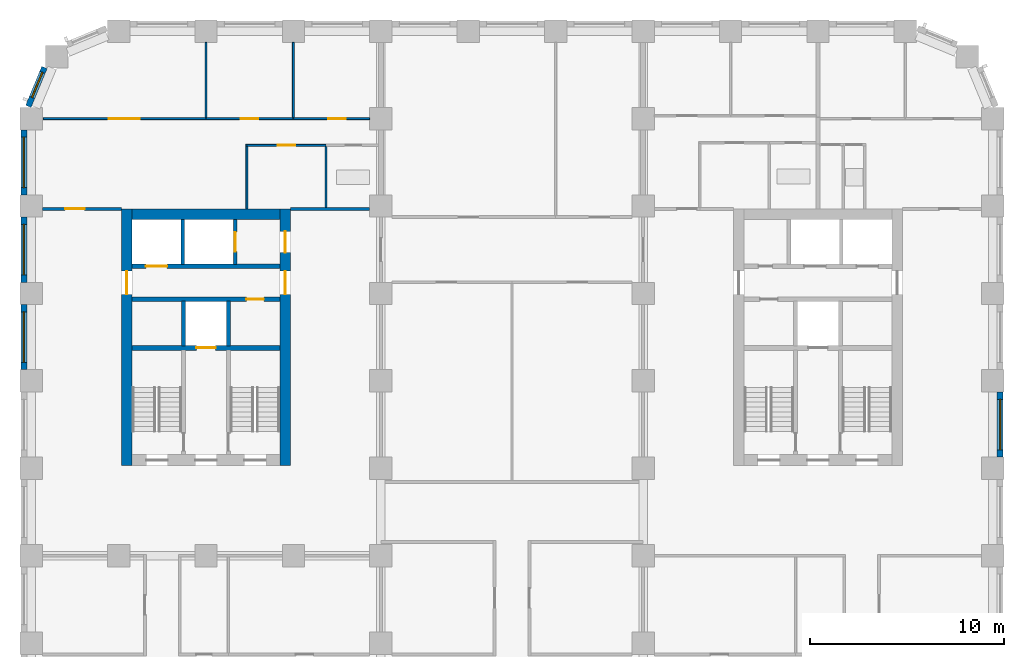
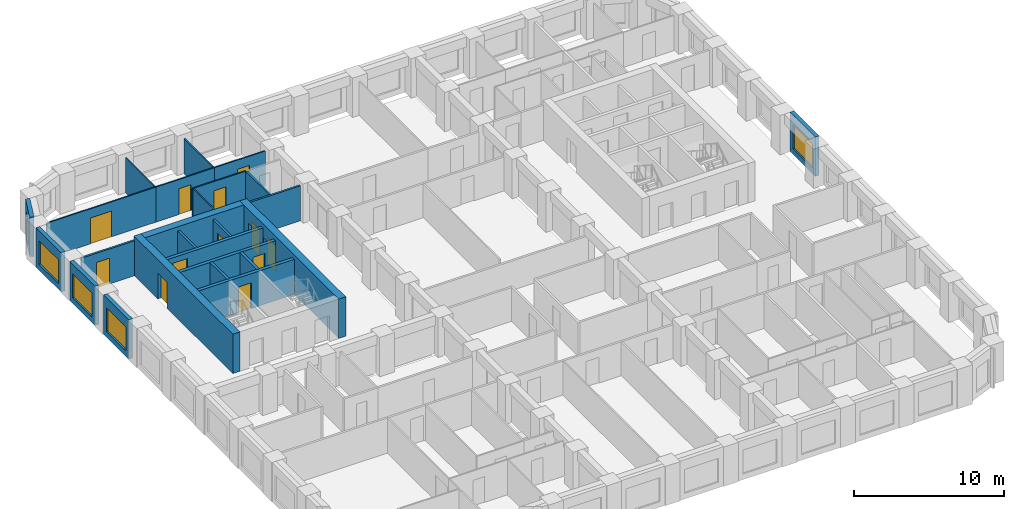
# One storey, part 6 of 12: 25 walls, 12 doors, 5 windows, 17 openings.
"""IFC4 building model written with IfcOpenShell, lengths in metres."""

from ifc_helpers import new_model, si_unit, direction, frame, frame_2d, origin, place, context, subcontext, project, spatial, rectangle, extrude, material, layer, layer_set, type_object, element, fill, save


model = new_model("IFC4")

# Units and contexts
model_context = context("Model", 3, precision=1e-05, world=origin(), true_north=direction((0.0, 1.0)))
body_context = subcontext(model_context, "Body", "Model", "MODEL_VIEW")
ifc_project = project(units=[si_unit("LENGTHUNIT", "METRE"), si_unit("AREAUNIT", "SQUARE_METRE"), si_unit("VOLUMEUNIT", "CUBIC_METRE"), si_unit("PLANEANGLEUNIT", "RADIAN"), si_unit("MASSUNIT", "GRAM", prefix="KILO")], contexts=[model_context])

# Site, building, storey
site_placement = place(None, origin())
site = spatial("IfcSite", under=ifc_project, at=site_placement, CompositionType="ELEMENT")
building_placement = place(site_placement, origin())
building = spatial("IfcBuilding", under=site, at=building_placement, Name="Girih Gate Residences", CompositionType="ELEMENT")
storey_placement = place(building_placement, frame((0.0, 0.0, 121.60009765625)))
storey = spatial("IfcBuildingStorey", under=building, at=storey_placement, Name="L34", CompositionType="ELEMENT", Elevation=121.60009765625)

# Wall, opening, door
ifc_material_1 = material(Name="Gypsum board on steel studs", Category="steel")
ifc_layer_1 = layer(ifc_material_1, 0.14990234375)
ifc_layer_set_1 = layer_set([ifc_layer_1], Name="Compartment wall 150 mm")
wall_type_1 = type_object("IfcWallType", Name="Compartment wall 150 mm", PredefinedType="PARTITIONING", material=ifc_layer_set_1)
wall_1_placement = place(storey_placement, frame((0.574951171875, 40.35009765625, 0.0), z_axis=(0.0, 0.0, 1.0), x_axis=(1.0, 0.0, 0.0)))
wall_1 = element("IfcWall", 1, at=wall_1_placement, inside=storey, type_object=wall_type_1, Name="L34 partition", PredefinedType="PARTITIONING", context=body_context, shape_type="SweptSolid", body=[
    extrude(rectangle(XDim=4.074951171875, YDim=0.14990234375, at=frame_2d((2.03759765625, 0.0))), origin(), (0.0, 0.0, 1.0), 2.849853515625),
])
opening_1_placement = place(wall_1_placement, frame((1.175048828125, 0.0, 0.0)))
opening_1 = element("IfcOpeningElement", 2, at=opening_1_placement, cuts=wall_1, Name="Opening A34-013", PredefinedType="OPENING", context=body_context, shape_type="SweptSolid", body=[
    extrude(rectangle(XDim=1.0, YDim=2.10009765625, at=frame_2d((0.5, 1.050048828125))), frame((0.0, 0.0849609375, 0.0), z_axis=(0.0, -1.0, 0.0), x_axis=(1.0, 0.0, 0.0)), (0.0, 0.0, 1.0), 0.169921875),
])
ifc_material_2 = material(Name="Timber, fire-rated core", Category="wood")
door_type_1 = type_object("IfcDoorType", Name="Flat entrance door 1000x2100 FD30S", OperationType="NOTDEFINED", PredefinedType="DOOR", material=ifc_material_2)
door_1_placement = place(opening_1_placement, origin())
door_1 = element("IfcDoor", 3, at=door_1_placement, inside=storey, type_object=door_type_1, Name="Door A34-013", OperationType="SINGLE_SWING_LEFT", OverallHeight=2.10009765625, OverallWidth=1.0, PredefinedType="DOOR", context=body_context, shape_type="SweptSolid", body=[
    extrude(rectangle(XDim=1.0, YDim=2.10009765625, at=frame_2d((0.5, 1.050048828125))), frame((0.0, 0.02490234375, 0.0), z_axis=(0.0, -1.0, 0.0), x_axis=(1.0, 0.0, 0.0)), (0.0, 0.0, 1.0), 0.050048828125),
])
fill(opening_1, door_1)

# Walls
wall_2_placement = place(storey_placement, frame((13.35009765625, 40.35009765625, 0.0), z_axis=(0.0, 0.0, 1.0), x_axis=(1.0, 0.0, 0.0)))
element("IfcWall", 4, at=wall_2_placement, inside=storey, type_object=wall_type_1, Name="L34 partition", PredefinedType="PARTITIONING", context=body_context, shape_type="SweptSolid", body=[
    extrude(rectangle(XDim=4.074951171875, YDim=0.14990234375, at=frame_2d((2.03759765625, 0.0))), origin(), (0.0, 0.0, 1.0), 2.849853515625),
])
ifc_material_3 = material(Name="Concrete C60/75", Category="concrete")
ifc_layer_2 = layer(ifc_material_3, 0.550048828125)
ifc_layer_set_2 = layer_set([ifc_layer_2], Name="Core wall RC 550 Concrete C60/75")
wall_type_2 = type_object("IfcWallType", Name="Core wall RC 550 Concrete C60/75", PredefinedType="SOLIDWALL", material=ifc_layer_set_2)
wall_3_placement = place(storey_placement, frame((5.199951171875, 40.074951171875, 0.0), z_axis=(0.0, 0.0, 1.0), x_axis=(1.0, 0.0, 0.0)))
element("IfcWall", 5, at=wall_3_placement, inside=storey, type_object=wall_type_2, Name="Core wall W-N L34", PredefinedType="SOLIDWALL", context=body_context, shape_type="SweptSolid", body=[
    extrude(rectangle(XDim=7.60009765625, YDim=0.550048828125, at=frame_2d((3.800048828125, 0.0))), origin(), (0.0, 0.0, 1.0), 3.199951171875),
])

# Wall, opening, door
wall_4_placement = place(storey_placement, frame((4.925048828125, 27.14990234375, 0.0), z_axis=(0.0, 0.0, 1.0), x_axis=(0.0, 1.0, 0.0)))
wall_4 = element("IfcWall", 6, at=wall_4_placement, inside=storey, type_object=wall_type_2, Name="Core wall W-W L34", PredefinedType="SOLIDWALL", context=body_context, shape_type="SweptSolid", body=[
    extrude(rectangle(XDim=13.2001953125, YDim=0.550048828125, at=frame_2d((6.60009765625, 0.0))), origin(), (0.0, 0.0, 1.0), 3.199951171875),
])
opening_2_placement = place(wall_4_placement, frame((8.800048828125, 0.0, 0.0)))
opening_2 = element("IfcOpeningElement", 7, at=opening_2_placement, cuts=wall_4, Name="Opening D-L34-W-011", PredefinedType="OPENING", context=body_context, shape_type="SweptSolid", body=[
    extrude(rectangle(XDim=1.199951171875, YDim=2.10009765625, at=frame_2d((0.60009765625, 1.050048828125))), frame((0.0, 0.284912109375, 0.0), z_axis=(0.0, -1.0, 0.0), x_axis=(1.0, 0.0, 0.0)), (0.0, 0.0, 1.0), 0.570068359375),
])
ifc_material_4 = material(Name="Painted steel, fire-resisting", Category="steel")
door_type_2 = type_object("IfcDoorType", Name="Fire door 1200x2100", OperationType="SINGLE_SWING_LEFT", PredefinedType="DOOR", material=ifc_material_4)
door_2_placement = place(opening_2_placement, origin())
door_2 = element("IfcDoor", 8, at=door_2_placement, inside=storey, type_object=door_type_2, Name="L34 W core door ll-w", OperationType="SINGLE_SWING_LEFT", OverallHeight=2.10009765625, OverallWidth=1.199951171875, PredefinedType="DOOR", context=body_context, shape_type="SweptSolid", body=[
    extrude(rectangle(XDim=1.199951171875, YDim=2.10009765625, at=frame_2d((0.60009765625, 1.050048828125))), frame((0.0, 0.02490234375, 0.0), z_axis=(0.0, -1.0, 0.0), x_axis=(1.0, 0.0, 0.0)), (0.0, 0.0, 1.0), 0.050048828125),
])
fill(opening_2, door_2)

# Wall, openings, doors
wall_5_placement = place(storey_placement, frame((13.074951171875, 27.14990234375, 0.0), z_axis=(0.0, 0.0, 1.0), x_axis=(0.0, 1.0, 0.0)))
wall_5 = element("IfcWall", 9, at=wall_5_placement, inside=storey, type_object=wall_type_2, Name="Core wall W-E L34", PredefinedType="SOLIDWALL", context=body_context, shape_type="SweptSolid", body=[
    extrude(rectangle(XDim=13.2001953125, YDim=0.550048828125, at=frame_2d((6.60009765625, 0.0))), origin(), (0.0, 0.0, 1.0), 3.199951171875),
])
opening_3_placement = place(wall_5_placement, frame((10.949951171875, 0.0, 0.0)))
opening_3 = element("IfcOpeningElement", 10, at=opening_3_placement, cuts=wall_5, Name="Opening D-L34-W-010", PredefinedType="OPENING", context=body_context, shape_type="SweptSolid", body=[
    extrude(rectangle(XDim=1.10009765625, YDim=2.10009765625, at=frame_2d((0.550048828125, 1.050048828125))), frame((0.0, 0.284912109375, 0.0), z_axis=(0.0, -1.0, 0.0), x_axis=(1.0, 0.0, 0.0)), (0.0, 0.0, 1.0), 0.570068359375),
])
opening_4_placement = place(wall_5_placement, frame((8.800048828125, 0.0, 0.0)))
opening_4 = element("IfcOpeningElement", 11, at=opening_4_placement, cuts=wall_5, Name="Opening D-L34-W-012", PredefinedType="OPENING", context=body_context, shape_type="SweptSolid", body=[
    extrude(rectangle(XDim=1.199951171875, YDim=2.10009765625, at=frame_2d((0.60009765625, 1.050048828125))), frame((0.0, 0.284912109375, 0.0), z_axis=(0.0, -1.0, 0.0), x_axis=(1.0, 0.0, 0.0)), (0.0, 0.0, 1.0), 0.570068359375),
])
door_type_3 = type_object("IfcDoorType", Name="Fire door 1100x2100", OperationType="SINGLE_SWING_LEFT", PredefinedType="DOOR", material=ifc_material_4)
door_3_placement = place(opening_3_placement, origin())
door_3 = element("IfcDoor", 12, at=door_3_placement, inside=storey, type_object=door_type_3, Name="L34 W core door ffl2-e", OperationType="SINGLE_SWING_LEFT", OverallHeight=2.10009765625, OverallWidth=1.10009765625, PredefinedType="DOOR", context=body_context, shape_type="SweptSolid", body=[
    extrude(rectangle(XDim=1.10009765625, YDim=2.10009765625, at=frame_2d((0.550048828125, 1.050048828125))), frame((0.0, 0.02490234375, 0.0), z_axis=(0.0, -1.0, 0.0), x_axis=(1.0, 0.0, 0.0)), (0.0, 0.0, 1.0), 0.050048828125),
])
fill(opening_3, door_3)
door_4_placement = place(opening_4_placement, origin())
door_4 = element("IfcDoor", 13, at=door_4_placement, inside=storey, type_object=door_type_2, Name="L34 W core door ll-e", OperationType="SINGLE_SWING_LEFT", OverallHeight=2.10009765625, OverallWidth=1.199951171875, PredefinedType="DOOR", context=body_context, shape_type="SweptSolid", body=[
    extrude(rectangle(XDim=1.199951171875, YDim=2.10009765625, at=frame_2d((0.60009765625, 1.050048828125))), frame((0.0, 0.02490234375, 0.0), z_axis=(0.0, -1.0, 0.0), x_axis=(1.0, 0.0, 0.0)), (0.0, 0.0, 1.0), 0.050048828125),
])
fill(opening_4, door_4)

# Wall, opening, door
ifc_material_5 = material(Name="Concrete C40/50", Category="concrete")
ifc_layer_3 = layer(ifc_material_5, 0.25)
ifc_layer_set_3 = layer_set([ifc_layer_3], Name="Lift shaft wall 250")
wall_type_3 = type_object("IfcWallType", Name="Lift shaft wall 250", PredefinedType="SOLIDWALL", material=ifc_layer_set_3)
wall_6_placement = place(storey_placement, frame((5.199951171875, 33.199951171875, 0.0), z_axis=(0.0, 0.0, 1.0), x_axis=(1.0, 0.0, 0.0)))
wall_6 = element("IfcWall", 14, at=wall_6_placement, inside=storey, type_object=wall_type_3, Name="L34 W core wall H1", PredefinedType="SOLIDWALL", context=body_context, shape_type="SweptSolid", body=[
    extrude(rectangle(XDim=7.60009765625, YDim=0.25, at=frame_2d((3.800048828125, 0.0))), origin(), (0.0, 0.0, 1.0), 2.849853515625),
])
opening_5_placement = place(wall_6_placement, frame((3.300048828125, 0.0, 0.0)))
opening_5 = element("IfcOpeningElement", 15, at=opening_5_placement, cuts=wall_6, Name="Opening D-L34-W-005", PredefinedType="OPENING", context=body_context, shape_type="SweptSolid", body=[
    extrude(rectangle(XDim=1.0, YDim=2.10009765625, at=frame_2d((0.5, 1.050048828125))), frame((0.0, 0.135009765625, 0.0), z_axis=(0.0, -1.0, 0.0), x_axis=(1.0, 0.0, 0.0)), (0.0, 0.0, 1.0), 0.27001953125),
])
ifc_material_6 = material(Name="Stainless steel, fire-resisting", Category="steel")
door_type_4 = type_object("IfcDoorType", Name="Firefighting lift landing door 1000x2100", OperationType="SLIDING_TO_LEFT", PredefinedType="DOOR", material=ifc_material_6)
door_5_placement = place(opening_5_placement, origin())
door_5 = element("IfcDoor", 16, at=door_5_placement, inside=storey, type_object=door_type_4, Name="L34 lift FF-W landing door", OperationType="SLIDING_TO_LEFT", OverallHeight=2.10009765625, OverallWidth=1.0, PredefinedType="DOOR", context=body_context, shape_type="SweptSolid", body=[
    extrude(rectangle(XDim=1.0, YDim=2.10009765625, at=frame_2d((0.5, 1.050048828125))), frame((0.0, 0.02490234375, 0.0), z_axis=(0.0, -1.0, 0.0), x_axis=(1.0, 0.0, 0.0)), (0.0, 0.0, 1.0), 0.050048828125),
])
fill(opening_5, door_5)

wall_7_placement = place(storey_placement, frame((5.199951171875, 35.699951171875, 0.0), z_axis=(0.0, 0.0, 1.0), x_axis=(1.0, 0.0, 0.0)))
wall_7 = element("IfcWall", 17, at=wall_7_placement, inside=storey, type_object=wall_type_3, Name="L34 W core wall H2", PredefinedType="SOLIDWALL", context=body_context, shape_type="SweptSolid", body=[
    extrude(rectangle(XDim=7.60009765625, YDim=0.25, at=frame_2d((3.800048828125, 0.0))), origin(), (0.0, 0.0, 1.0), 2.849853515625),
])
opening_6_placement = place(wall_7_placement, frame((5.875, 0.0, 0.0)))
opening_6 = element("IfcOpeningElement", 18, at=opening_6_placement, cuts=wall_7, Name="Opening D-L34-W-006", PredefinedType="OPENING", context=body_context, shape_type="SweptSolid", body=[
    extrude(rectangle(XDim=0.89990234375, YDim=2.10009765625, at=frame_2d((0.449951171875, 1.050048828125))), frame((0.0, 0.135009765625, 0.0), z_axis=(0.0, -1.0, 0.0), x_axis=(1.0, 0.0, 0.0)), (0.0, 0.0, 1.0), 0.27001953125),
])
door_type_5 = type_object("IfcDoorType", Name="Fire door 900x2100", OperationType="SINGLE_SWING_LEFT", PredefinedType="DOOR", material=ifc_material_4)
door_6_placement = place(opening_6_placement, origin())
door_6 = element("IfcDoor", 19, at=door_6_placement, inside=storey, type_object=door_type_5, Name="L34 W linen store door", OperationType="SINGLE_SWING_LEFT", OverallHeight=2.10009765625, OverallWidth=0.89990234375, PredefinedType="DOOR", context=body_context, shape_type="SweptSolid", body=[
    extrude(rectangle(XDim=0.89990234375, YDim=2.10009765625, at=frame_2d((0.449951171875, 1.050048828125))), frame((0.0, 0.02490234375, 0.0), z_axis=(0.0, -1.0, 0.0), x_axis=(1.0, 0.0, 0.0)), (0.0, 0.0, 1.0), 0.050048828125),
])
fill(opening_6, door_6)

wall_8_placement = place(storey_placement, frame((5.199951171875, 37.39990234375, 0.0), z_axis=(0.0, 0.0, 1.0), x_axis=(1.0, 0.0, 0.0)))
wall_8 = element("IfcWall", 20, at=wall_8_placement, inside=storey, type_object=wall_type_3, Name="L34 W core wall H3", PredefinedType="SOLIDWALL", context=body_context, shape_type="SweptSolid", body=[
    extrude(rectangle(XDim=7.60009765625, YDim=0.25, at=frame_2d((3.800048828125, 0.0))), origin(), (0.0, 0.0, 1.0), 2.849853515625),
])
opening_7_placement = place(wall_8_placement, frame((0.699951171875, 0.0, 0.0)))
opening_7 = element("IfcOpeningElement", 21, at=opening_7_placement, cuts=wall_8, Name="Opening D-L34-W-003", PredefinedType="OPENING", context=body_context, shape_type="SweptSolid", body=[
    extrude(rectangle(XDim=1.10009765625, YDim=2.39990234375, at=frame_2d((0.550048828125, 1.199951171875))), frame((0.0, 0.135009765625, 0.0), z_axis=(0.0, -1.0, 0.0), x_axis=(1.0, 0.0, 0.0)), (0.0, 0.0, 1.0), 0.27001953125),
])
ifc_material_7 = material(Name="Stainless steel", Category="steel")
door_type_6 = type_object("IfcDoorType", Name="Lift landing door 1100x2400", OperationType="SLIDING_TO_LEFT", PredefinedType="DOOR", material=ifc_material_7)
door_7_placement = place(opening_7_placement, origin())
door_7 = element("IfcDoor", 22, at=door_7_placement, inside=storey, type_object=door_type_6, Name="L34 lift LR-W1 landing door", OperationType="SLIDING_TO_LEFT", OverallHeight=2.39990234375, OverallWidth=1.10009765625, PredefinedType="DOOR", context=body_context, shape_type="SweptSolid", body=[
    extrude(rectangle(XDim=1.10009765625, YDim=2.39990234375, at=frame_2d((0.550048828125, 1.199951171875))), frame((0.0, 0.02490234375, 0.0), z_axis=(0.0, -1.0, 0.0), x_axis=(1.0, 0.0, 0.0)), (0.0, 0.0, 1.0), 0.050048828125),
])
fill(opening_7, door_7)

# Wall
ifc_layer_4 = layer(ifc_material_1, 0.10009765625)
ifc_layer_set_4 = layer_set([ifc_layer_4], Name="Partition 100 mm")
wall_type_4 = type_object("IfcWallType", Name="Partition 100 mm", PredefinedType="PARTITIONING", material=ifc_layer_set_4)
wall_9_placement = place(storey_placement, frame((13.5, 45.050048828125, 0.0), z_axis=(0.0, 0.0, 1.0), x_axis=(0.0, 1.0, 0.0)))
element("IfcWall", 23, at=wall_9_placement, inside=storey, type_object=wall_type_4, Name="L34 partition", PredefinedType="PARTITIONING", context=body_context, shape_type="SweptSolid", body=[
    extrude(rectangle(XDim=3.875, YDim=0.10009765625, at=frame_2d((1.9375, 0.0))), origin(), (0.0, 0.0, 1.0), 2.849853515625),
])

# Wall, opening, door
wall_10_placement = place(storey_placement, frame((9.0, 45.0, 0.0), z_axis=(0.0, 0.0, 1.0), x_axis=(1.0, 0.0, 0.0)))
wall_10 = element("IfcWall", 24, at=wall_10_placement, inside=storey, type_object=wall_type_4, Name="L34 partition", PredefinedType="PARTITIONING", context=body_context, shape_type="SweptSolid", body=[
    extrude(rectangle(XDim=4.5, YDim=0.10009765625, at=frame_2d((2.25, 0.0))), origin(), (0.0, 0.0, 1.0), 2.849853515625),
])
opening_8_placement = place(wall_10_placement, frame((1.800048828125, 0.0, 0.0)))
opening_8 = element("IfcOpeningElement", 25, at=opening_8_placement, cuts=wall_10, Name="Opening A34-009", PredefinedType="OPENING", context=body_context, shape_type="SweptSolid", body=[
    extrude(rectangle(XDim=0.89990234375, YDim=2.10009765625, at=frame_2d((0.449951171875, 1.050048828125))), frame((0.0, 0.06005859375, 0.0), z_axis=(0.0, -1.0, 0.0), x_axis=(1.0, 0.0, 0.0)), (0.0, 0.0, 1.0), 0.1201171875),
])
ifc_material_8 = material(Name="Timber", Category="wood")
door_type_7 = type_object("IfcDoorType", Name="Bedroom door 900x2100", OperationType="NOTDEFINED", PredefinedType="DOOR", material=ifc_material_8)
door_8_placement = place(opening_8_placement, origin())
door_8 = element("IfcDoor", 26, at=door_8_placement, inside=storey, type_object=door_type_7, Name="Door A34-009", OperationType="SINGLE_SWING_LEFT", OverallHeight=2.10009765625, OverallWidth=0.89990234375, PredefinedType="DOOR", context=body_context, shape_type="SweptSolid", body=[
    extrude(rectangle(XDim=0.89990234375, YDim=2.10009765625, at=frame_2d((0.449951171875, 1.050048828125))), frame((0.0, 0.02490234375, 0.0), z_axis=(0.0, -1.0, 0.0), x_axis=(1.0, 0.0, 0.0)), (0.0, 0.0, 1.0), 0.050048828125),
])
fill(opening_8, door_8)

# Wall
wall_11_placement = place(storey_placement, frame((9.0, 45.050048828125, 0.0), z_axis=(0.0, 0.0, 1.0), x_axis=(0.0, 1.0, 0.0)))
element("IfcWall", 27, at=wall_11_placement, inside=storey, type_object=wall_type_4, Name="L34 partition", PredefinedType="PARTITIONING", context=body_context, shape_type="SweptSolid", body=[
    extrude(rectangle(XDim=3.875, YDim=0.10009765625, at=frame_2d((1.9375, 0.0))), origin(), (0.0, 0.0, 1.0), 2.849853515625),
])

# Wall, opening, door
wall_12_placement = place(storey_placement, frame((13.5, 45.0, 0.0), z_axis=(0.0, 0.0, 1.0), x_axis=(1.0, 0.0, 0.0)))
wall_12 = element("IfcWall", 28, at=wall_12_placement, inside=storey, type_object=wall_type_4, Name="L34 partition", PredefinedType="PARTITIONING", context=body_context, shape_type="SweptSolid", body=[
    extrude(rectangle(XDim=3.925048828125, YDim=0.10009765625, at=frame_2d((1.96240234375, 0.0))), origin(), (0.0, 0.0, 1.0), 2.849853515625),
])
opening_9_placement = place(wall_12_placement, frame((1.800048828125, 0.0, 0.0)))
opening_9 = element("IfcOpeningElement", 29, at=opening_9_placement, cuts=wall_12, Name="Opening A34-010", PredefinedType="OPENING", context=body_context, shape_type="SweptSolid", body=[
    extrude(rectangle(XDim=0.89990234375, YDim=2.10009765625, at=frame_2d((0.449951171875, 1.050048828125))), frame((0.0, 0.06005859375, 0.0), z_axis=(0.0, -1.0, 0.0), x_axis=(1.0, 0.0, 0.0)), (0.0, 0.0, 1.0), 0.1201171875),
])
door_9_placement = place(opening_9_placement, origin())
door_9 = element("IfcDoor", 30, at=door_9_placement, inside=storey, type_object=door_type_7, Name="Door A34-010", OperationType="SINGLE_SWING_RIGHT", OverallHeight=2.10009765625, OverallWidth=0.89990234375, PredefinedType="DOOR", context=body_context, shape_type="SweptSolid", body=[
    extrude(rectangle(XDim=0.89990234375, YDim=2.10009765625, at=frame_2d((0.449951171875, 1.050048828125))), frame((0.0, 0.02490234375, 0.0), z_axis=(0.0, -1.0, 0.0), x_axis=(1.0, 0.0, 0.0)), (0.0, 0.0, 1.0), 0.050048828125),
])
fill(opening_9, door_9)

wall_13_placement = place(storey_placement, frame((15.1748046875, 43.6201171875, 0.0), z_axis=(0.0, 0.0, 1.0), x_axis=(-1.0, 0.0, 0.0)))
wall_13 = element("IfcWall", 31, at=wall_13_placement, inside=storey, type_object=wall_type_4, Name="L34 partition", PredefinedType="PARTITIONING", context=body_context, shape_type="SweptSolid", body=[
    extrude(rectangle(XDim=4.124755859375, YDim=0.10009765625, at=frame_2d((2.0625, 0.0))), origin(), (0.0, 0.0, 1.0), 2.849853515625),
])
opening_10_placement = place(wall_13_placement, frame((1.58740234375, 0.0, 0.0)))
opening_10 = element("IfcOpeningElement", 32, at=opening_10_placement, cuts=wall_13, Name="Opening A34-011", PredefinedType="OPENING", context=body_context, shape_type="SweptSolid", body=[
    extrude(rectangle(XDim=0.89990234375, YDim=2.10009765625, at=frame_2d((0.449951171875, 1.050048828125))), frame((0.0, 0.06005859375, 0.0), z_axis=(0.0, -1.0, 0.0), x_axis=(1.0, 0.0, 0.0)), (0.0, 0.0, 1.0), 0.1201171875),
])
door_type_8 = type_object("IfcDoorType", Name="Kitchen door 900x2100", OperationType="NOTDEFINED", PredefinedType="DOOR", material=ifc_material_8)
door_10_placement = place(opening_10_placement, origin())
door_10 = element("IfcDoor", 33, at=door_10_placement, inside=storey, type_object=door_type_8, Name="Door A34-011", OperationType="SINGLE_SWING_LEFT", OverallHeight=2.10009765625, OverallWidth=0.89990234375, PredefinedType="DOOR", context=body_context, shape_type="SweptSolid", body=[
    extrude(rectangle(XDim=0.89990234375, YDim=2.10009765625, at=frame_2d((0.449951171875, 1.050048828125))), frame((0.0, 0.02490234375, 0.0), z_axis=(0.0, -1.0, 0.0), x_axis=(1.0, 0.0, 0.0)), (0.0, 0.0, 1.0), 0.050048828125),
])
fill(opening_10, door_10)

# Wall
wall_14_placement = place(storey_placement, frame((11.10009765625, 40.35009765625, 0.0), z_axis=(0.0, 0.0, 1.0), x_axis=(0.0, 1.0, 0.0)))
element("IfcWall", 34, at=wall_14_placement, inside=storey, type_object=wall_type_4, Name="L34 partition", PredefinedType="PARTITIONING", context=body_context, shape_type="SweptSolid", body=[
    extrude(rectangle(XDim=3.219970703125, YDim=0.10009765625, at=frame_2d((1.60986328125, 0.0))), origin(), (0.0, 0.0, 1.0), 2.849853515625),
])

# Wall, opening, door
wall_15_placement = place(storey_placement, frame((0.622314453125, 45.0, 0.0), z_axis=(0.0, 0.0, 1.0), x_axis=(1.0, 0.0, 0.0)))
wall_15 = element("IfcWall", 35, at=wall_15_placement, inside=storey, type_object=wall_type_4, Name="L34 partition", PredefinedType="PARTITIONING", context=body_context, shape_type="SweptSolid", body=[
    extrude(rectangle(XDim=8.377685546875, YDim=0.10009765625, at=frame_2d((4.18896484375, 0.0))), origin(), (0.0, 0.0, 1.0), 2.849853515625),
])
opening_11_placement = place(wall_15_placement, frame((3.364990234375, 0.0, 0.0)))
opening_11 = element("IfcOpeningElement", 36, at=opening_11_placement, cuts=wall_15, Name="Opening A34-012", PredefinedType="OPENING", context=body_context, shape_type="SweptSolid", body=[
    extrude(rectangle(XDim=1.60009765625, YDim=2.10009765625, at=frame_2d((0.800048828125, 1.050048828125))), frame((0.0, 0.06005859375, 0.0), z_axis=(0.0, -1.0, 0.0), x_axis=(1.0, 0.0, 0.0)), (0.0, 0.0, 1.0), 0.1201171875),
])
door_type_9 = type_object("IfcDoorType", Name="Double leaf door 1600x2100", OperationType="NOTDEFINED", PredefinedType="DOOR", material=ifc_material_8)
door_11_placement = place(opening_11_placement, origin())
door_11 = element("IfcDoor", 37, at=door_11_placement, inside=storey, type_object=door_type_9, Name="Door A34-012", OperationType="SINGLE_SWING_LEFT", OverallHeight=2.10009765625, OverallWidth=1.60009765625, PredefinedType="DOOR", context=body_context, shape_type="SweptSolid", body=[
    extrude(rectangle(XDim=1.60009765625, YDim=2.10009765625, at=frame_2d((0.800048828125, 1.050048828125))), frame((0.0, 0.02490234375, 0.0), z_axis=(0.0, -1.0, 0.0), x_axis=(1.0, 0.0, 0.0)), (0.0, 0.0, 1.0), 0.050048828125),
])
fill(opening_11, door_11)

# Wall, opening, window
ifc_material_9 = material(Name="Precast concrete C50/60", Category="concrete")
ifc_layer_5 = layer(ifc_material_9, 0.080078125, Name="Outer leaf")
ifc_material_10 = material(Name="Rigid PIR insulation")
ifc_layer_6 = layer(ifc_material_10, 0.14990234375, Name="Insulation")
ifc_material_11 = material(Name="Precast concrete C40/50", Category="concrete")
ifc_layer_7 = layer(ifc_material_11, 0.070068359375, Name="Inner leaf")
ifc_layer_set_5 = layer_set([ifc_layer_5, ifc_layer_6, ifc_layer_7], Name="Precast concrete C50/60 external wall 300")
wall_type_5 = type_object("IfcWallType", Name="Precast concrete C50/60 external wall 300", PredefinedType="SOLIDWALL", material=ifc_layer_set_5)
wall_16_placement = place(storey_placement, frame((49.875, 30.925048828125, 0.0), z_axis=(0.0, 0.0, 1.0), x_axis=(0.0, -1.0, 0.0)))
wall_16 = element("IfcWall", 38, at=wall_16_placement, inside=storey, type_object=wall_type_5, Name="External wall E0495_0045.5", PredefinedType="SOLIDWALL", context=body_context, shape_type="SweptSolid", body=[
    extrude(rectangle(XDim=3.35009765625, YDim=0.300048828125, at=frame_2d((1.675048828125, 0.0))), origin(), (0.0, 0.0, 1.0), 3.199951171875),
])
opening_12_placement = place(wall_16_placement, frame((0.375, 0.0, 0.449951171875)))
opening_12 = element("IfcOpeningElement", 39, at=opening_12_placement, cuts=wall_16, Name="Opening W-1A", PredefinedType="OPENING", context=body_context, shape_type="SweptSolid", body=[
    extrude(rectangle(XDim=2.60009765625, YDim=1.949951171875, at=frame_2d((1.300048828125, 0.97509765625))), frame((0.0, 0.159912109375, 0.0), z_axis=(0.0, -1.0, 0.0), x_axis=(1.0, 0.0, 0.0)), (0.0, 0.0, 1.0), 0.320068359375),
])
ifc_material_12 = material(Name="Double glazing in aluminium frame", Category="aluminium")
window_type_1 = type_object("IfcWindowType", Name="Window W-1A 2600x1950", PartitioningType="SINGLE_PANEL", PredefinedType="WINDOW", material=ifc_material_12)
window_1_placement = place(opening_12_placement, origin())
window_1 = element("IfcWindow", 40, at=window_1_placement, inside=storey, type_object=window_type_1, Name="Window W-1A E0495_0045.5", OverallHeight=1.949951171875, OverallWidth=2.60009765625, PartitioningType="SINGLE_PANEL", PredefinedType="WINDOW", context=body_context, shape_type="SweptSolid", body=[
    extrude(rectangle(XDim=2.60009765625, YDim=1.949951171875, at=frame_2d((1.300048828125, 0.97509765625))), frame((0.0, 0.030029296875, 0.0), z_axis=(0.0, -1.0, 0.0), x_axis=(1.0, 0.0, 0.0)), (0.0, 0.0, 1.0), 0.06005859375),
])
fill(opening_12, window_1)

wall_17_placement = place(storey_placement, frame((-0.14404296875, 45.63232421875, 0.0), z_axis=(0.0, 0.0, 1.0), x_axis=(0.382723818695, 0.923862802911, 0.0)))
wall_17 = element("IfcWall", 41, at=wall_17_placement, inside=storey, type_object=wall_type_5, Name="External wall NW0013_0482.0", PredefinedType="SOLIDWALL", context=body_context, shape_type="SweptSolid", body=[
    extrude(rectangle(XDim=2.163818359375, YDim=0.300048828125, at=frame_2d((1.08203125, 0.0))), origin(), (0.0, 0.0, 1.0), 3.199951171875),
])
opening_13_placement = place(wall_17_placement, frame((0.492919921875, 0.0, 0.449951171875)))
opening_13 = element("IfcOpeningElement", 42, at=opening_13_placement, cuts=wall_17, Name="Opening W-2D", PredefinedType="OPENING", context=body_context, shape_type="SweptSolid", body=[
    extrude(rectangle(XDim=1.39990234375, YDim=1.949951171875, at=frame_2d((0.699951171875, 0.97509765625))), frame((0.0, 0.159912109375, 0.0), z_axis=(0.0, -1.0, 0.0), x_axis=(1.0, 0.0, 0.0)), (0.0, 0.0, 1.0), 0.320068359375),
])
window_type_2 = type_object("IfcWindowType", Name="Window W-2D 1400x1950", PartitioningType="SINGLE_PANEL", PredefinedType="WINDOW", material=ifc_material_12)
window_2_placement = place(opening_13_placement, origin())
window_2 = element("IfcWindow", 43, at=window_2_placement, inside=storey, type_object=window_type_2, Name="Window W-2D NW0013_0482.0", OverallHeight=1.949951171875, OverallWidth=1.39990234375, PartitioningType="SINGLE_PANEL", PredefinedType="WINDOW", context=body_context, shape_type="SweptSolid", body=[
    extrude(rectangle(XDim=1.39990234375, YDim=1.949951171875, at=frame_2d((0.699951171875, 0.97509765625))), frame((0.0, 0.030029296875, 0.0), z_axis=(0.0, -1.0, 0.0), x_axis=(1.0, 0.0, 0.0)), (0.0, 0.0, 1.0), 0.06005859375),
])
fill(opening_13, window_2)

wall_18_placement = place(storey_placement, frame((-0.375, 41.074951171875, 0.0), z_axis=(0.0, 0.0, 1.0), x_axis=(0.0, 1.0, 0.0)))
wall_18 = element("IfcWall", 44, at=wall_18_placement, inside=storey, type_object=wall_type_5, Name="External wall W0000_0450.0", PredefinedType="SOLIDWALL", context=body_context, shape_type="SweptSolid", body=[
    extrude(rectangle(XDim=3.35009765625, YDim=0.300048828125, at=frame_2d((1.675048828125, 0.0))), origin(), (0.0, 0.0, 1.0), 3.199951171875),
])
opening_14_placement = place(wall_18_placement, frame((0.375, 0.0, 0.449951171875)))
opening_14 = element("IfcOpeningElement", 45, at=opening_14_placement, cuts=wall_18, Name="Opening W-1A", PredefinedType="OPENING", context=body_context, shape_type="SweptSolid", body=[
    extrude(rectangle(XDim=2.60009765625, YDim=1.949951171875, at=frame_2d((1.300048828125, 0.97509765625))), frame((0.0, 0.159912109375, 0.0), z_axis=(0.0, -1.0, 0.0), x_axis=(1.0, 0.0, 0.0)), (0.0, 0.0, 1.0), 0.320068359375),
])
window_3_placement = place(opening_14_placement, origin())
window_3 = element("IfcWindow", 46, at=window_3_placement, inside=storey, type_object=window_type_1, Name="Window W-1A W0000_0450.0", OverallHeight=1.949951171875, OverallWidth=2.60009765625, PartitioningType="SINGLE_PANEL", PredefinedType="WINDOW", context=body_context, shape_type="SweptSolid", body=[
    extrude(rectangle(XDim=2.60009765625, YDim=1.949951171875, at=frame_2d((1.300048828125, 0.97509765625))), frame((0.0, 0.030029296875, 0.0), z_axis=(0.0, -1.0, 0.0), x_axis=(1.0, 0.0, 0.0)), (0.0, 0.0, 1.0), 0.06005859375),
])
fill(opening_14, window_3)

wall_19_placement = place(storey_placement, frame((-0.375, 36.574951171875, 0.0), z_axis=(0.0, 0.0, 1.0), x_axis=(0.0, 1.0, 0.0)))
wall_19 = element("IfcWall", 47, at=wall_19_placement, inside=storey, type_object=wall_type_5, Name="External wall W0000_0450.1", PredefinedType="SOLIDWALL", context=body_context, shape_type="SweptSolid", body=[
    extrude(rectangle(XDim=3.35009765625, YDim=0.300048828125, at=frame_2d((1.675048828125, 0.0))), origin(), (0.0, 0.0, 1.0), 3.199951171875),
])
opening_15_placement = place(wall_19_placement, frame((0.375, 0.0, 0.449951171875)))
opening_15 = element("IfcOpeningElement", 48, at=opening_15_placement, cuts=wall_19, Name="Opening W-1A", PredefinedType="OPENING", context=body_context, shape_type="SweptSolid", body=[
    extrude(rectangle(XDim=2.60009765625, YDim=1.949951171875, at=frame_2d((1.300048828125, 0.97509765625))), frame((0.0, 0.159912109375, 0.0), z_axis=(0.0, -1.0, 0.0), x_axis=(1.0, 0.0, 0.0)), (0.0, 0.0, 1.0), 0.320068359375),
])
window_4_placement = place(opening_15_placement, origin())
window_4 = element("IfcWindow", 49, at=window_4_placement, inside=storey, type_object=window_type_1, Name="Window W-1A W0000_0450.1", OverallHeight=1.949951171875, OverallWidth=2.60009765625, PartitioningType="SINGLE_PANEL", PredefinedType="WINDOW", context=body_context, shape_type="SweptSolid", body=[
    extrude(rectangle(XDim=2.60009765625, YDim=1.949951171875, at=frame_2d((1.300048828125, 0.97509765625))), frame((0.0, 0.030029296875, 0.0), z_axis=(0.0, -1.0, 0.0), x_axis=(1.0, 0.0, 0.0)), (0.0, 0.0, 1.0), 0.06005859375),
])
fill(opening_15, window_4)

wall_20_placement = place(storey_placement, frame((-0.375, 32.074951171875, 0.0), z_axis=(0.0, 0.0, 1.0), x_axis=(0.0, 1.0, 0.0)))
wall_20 = element("IfcWall", 50, at=wall_20_placement, inside=storey, type_object=wall_type_5, Name="External wall W0000_0450.2", PredefinedType="SOLIDWALL", context=body_context, shape_type="SweptSolid", body=[
    extrude(rectangle(XDim=3.35009765625, YDim=0.300048828125, at=frame_2d((1.675048828125, 0.0))), origin(), (0.0, 0.0, 1.0), 3.199951171875),
])
opening_16_placement = place(wall_20_placement, frame((0.375, 0.0, 0.449951171875)))
opening_16 = element("IfcOpeningElement", 51, at=opening_16_placement, cuts=wall_20, Name="Opening W-1A", PredefinedType="OPENING", context=body_context, shape_type="SweptSolid", body=[
    extrude(rectangle(XDim=2.60009765625, YDim=1.949951171875, at=frame_2d((1.300048828125, 0.97509765625))), frame((0.0, 0.159912109375, 0.0), z_axis=(0.0, -1.0, 0.0), x_axis=(1.0, 0.0, 0.0)), (0.0, 0.0, 1.0), 0.320068359375),
])
window_5_placement = place(opening_16_placement, origin())
window_5 = element("IfcWindow", 52, at=window_5_placement, inside=storey, type_object=window_type_1, Name="Window W-1A W0000_0450.2", OverallHeight=1.949951171875, OverallWidth=2.60009765625, PartitioningType="SINGLE_PANEL", PredefinedType="WINDOW", context=body_context, shape_type="SweptSolid", body=[
    extrude(rectangle(XDim=2.60009765625, YDim=1.949951171875, at=frame_2d((1.300048828125, 0.97509765625))), frame((0.0, 0.030029296875, 0.0), z_axis=(0.0, -1.0, 0.0), x_axis=(1.0, 0.0, 0.0)), (0.0, 0.0, 1.0), 0.06005859375),
])
fill(opening_16, window_5)

# Wall
ifc_layer_8 = layer(ifc_material_5, 0.175048828125)
ifc_layer_set_6 = layer_set([ifc_layer_8], Name="Riser shaft wall 175")
wall_type_6 = type_object("IfcWallType", Name="Riser shaft wall 175", PredefinedType="SOLIDWALL", material=ifc_layer_set_6)
wall_21_placement = place(storey_placement, frame((7.800048828125, 37.5, 0.0), z_axis=(0.0, 0.0, 1.0), x_axis=(0.0, 1.0, 0.0)))
element("IfcWall", 53, at=wall_21_placement, inside=storey, type_object=wall_type_6, Name="L34 W core wall V1c", PredefinedType="SOLIDWALL", context=body_context, shape_type="SweptSolid", body=[
    extrude(rectangle(XDim=2.300048828125, YDim=0.175048828125, at=frame_2d((1.14990234375, 0.0))), origin(), (0.0, 0.0, 1.0), 2.849853515625),
])

# Wall, opening, door
wall_22_placement = place(storey_placement, frame((10.5, 37.5, 0.0), z_axis=(0.0, 0.0, 1.0), x_axis=(0.0, 1.0, 0.0)))
wall_22 = element("IfcWall", 54, at=wall_22_placement, inside=storey, type_object=wall_type_6, Name="L34 W core wall V2c", PredefinedType="SOLIDWALL", context=body_context, shape_type="SweptSolid", body=[
    extrude(rectangle(XDim=2.300048828125, YDim=0.175048828125, at=frame_2d((1.14990234375, 0.0))), origin(), (0.0, 0.0, 1.0), 2.849853515625),
])
opening_17_placement = place(wall_22_placement, frame((0.64990234375, 0.0, 0.0)))
opening_17 = element("IfcOpeningElement", 55, at=opening_17_placement, cuts=wall_22, Name="Opening D-L34-W-004", PredefinedType="OPENING", context=body_context, shape_type="SweptSolid", body=[
    extrude(rectangle(XDim=1.0, YDim=2.10009765625, at=frame_2d((0.5, 1.050048828125))), frame((0.0, 0.097412109375, 0.0), z_axis=(0.0, -1.0, 0.0), x_axis=(1.0, 0.0, 0.0)), (0.0, 0.0, 1.0), 0.195068359375),
])
door_12_placement = place(opening_17_placement, origin())
door_12 = element("IfcDoor", 56, at=door_12_placement, inside=storey, type_object=door_type_4, Name="L34 lift FF-W2 landing door", OperationType="SLIDING_TO_LEFT", OverallHeight=2.10009765625, OverallWidth=1.0, PredefinedType="DOOR", context=body_context, shape_type="SweptSolid", body=[
    extrude(rectangle(XDim=1.0, YDim=2.10009765625, at=frame_2d((0.5, 1.050048828125))), frame((0.0, 0.02490234375, 0.0), z_axis=(0.0, -1.0, 0.0), x_axis=(1.0, 0.0, 0.0)), (0.0, 0.0, 1.0), 0.050048828125),
])
fill(opening_17, door_12)

# Walls
ifc_layer_9 = layer(ifc_material_5, 0.199951171875)
ifc_layer_set_7 = layer_set([ifc_layer_9], Name="Shaft wall 200")
wall_type_7 = type_object("IfcWallType", Name="Shaft wall 200", PredefinedType="SOLIDWALL", material=ifc_layer_set_7)
for number, where, z_axis, x_axis, name in (
    (57, (7.85009765625, 33.300048828125, 0.0), (0.0, 0.0, 1.0), (0.0, 1.0, 0.0), "L34 W core wall V1b"),
    (58, (10.14990234375, 33.300048828125, 0.0), (0.0, 0.0, 1.0), (0.0, 1.0, 0.0), "L34 W core wall V2b"),
):
    element("IfcWall", number, at=place(storey_placement, frame(where, z_axis=z_axis, x_axis=x_axis)), inside=storey, type_object=wall_type_7, Name=name, PredefinedType="SOLIDWALL", context=body_context, shape_type="SweptSolid", body=[
        extrude(rectangle(XDim=2.300048828125, YDim=0.199951171875, at=frame_2d((1.14990234375, 0.0))), origin(), (0.0, 0.0, 1.0), 2.849853515625),
    ])
ifc_layer_10 = layer(ifc_material_1, 0.125)
ifc_layer_set_8 = layer_set([ifc_layer_10], Name="Wet room wall 125 mm")
wall_type_8 = type_object("IfcWallType", Name="Wet room wall 125 mm", PredefinedType="PARTITIONING", material=ifc_layer_set_8)
wall_23_placement = place(storey_placement, frame((15.175048828125, 40.425048828125, 0.0), z_axis=(0.0, 0.0, 1.0), x_axis=(0.0, 1.0, 0.0)))
element("IfcWall", 59, at=wall_23_placement, inside=storey, type_object=wall_type_8, Name="L34 partition", PredefinedType="PARTITIONING", context=body_context, shape_type="SweptSolid", body=[
    extrude(rectangle(XDim=3.132568359375, YDim=0.125, at=frame_2d((1.56640625, 0.0))), origin(), (0.0, 0.0, 1.0), 2.849853515625),
])

save(model, "model.ifc")
